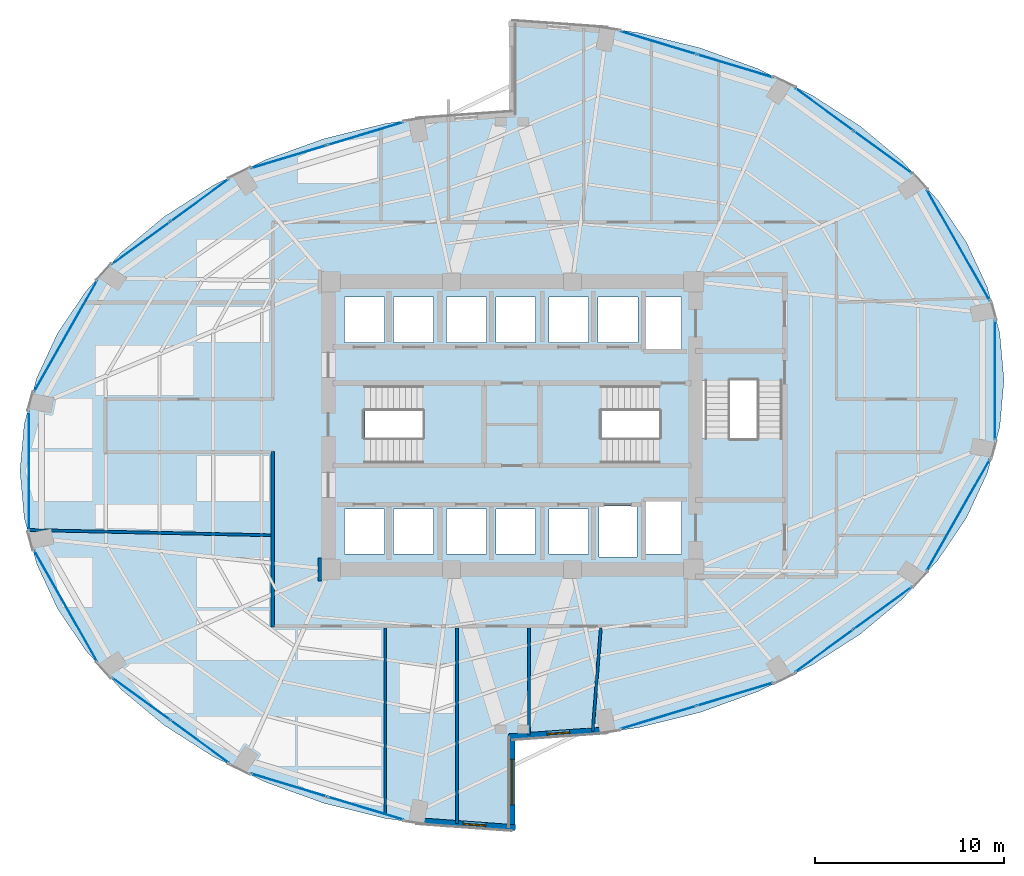
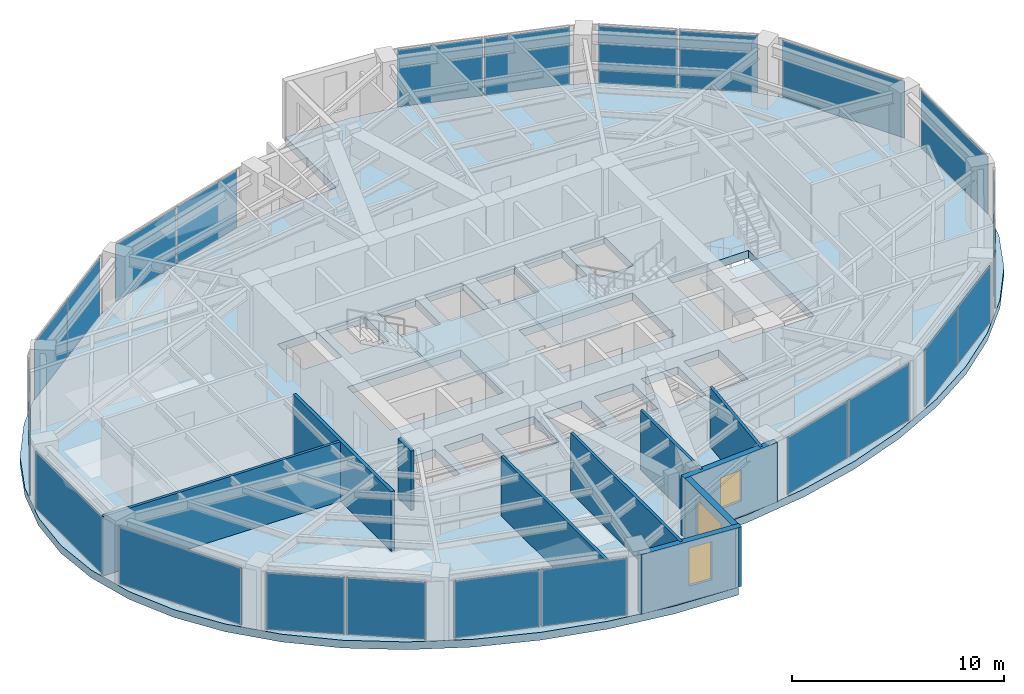
# One storey, part 18 of 23: 22 plates, 10 walls, 4 slabs, 3 windows, 3 openings, 17 elements without a shape of their own.
"""IFC4 building model written with IfcOpenShell, lengths in metres."""

from ifc_helpers import new_model, si_unit, direction, frame, frame_2d, origin, origin_2d, place, context, subcontext, project, spatial, polyline, rectangle, outline, extrude, material, layer, layer_set, type_object, element, fill, aggregate, save


model = new_model("IFC4")

# Units and contexts
model_context = context("Model", 3, precision=1e-05, world=origin(), true_north=direction((0.0, 1.0)))
body_context = subcontext(model_context, "Body", "Model", "MODEL_VIEW")
ifc_project = project(units=[si_unit("LENGTHUNIT", "METRE"), si_unit("AREAUNIT", "SQUARE_METRE"), si_unit("VOLUMEUNIT", "CUBIC_METRE"), si_unit("PLANEANGLEUNIT", "RADIAN"), si_unit("MASSUNIT", "GRAM", prefix="KILO")], contexts=[model_context])

# Site, building, storey
site_placement = place(None, origin())
site = spatial("IfcSite", under=ifc_project, at=site_placement, CompositionType="ELEMENT")
building_placement = place(site_placement, origin())
building = spatial("IfcBuilding", under=site, at=building_placement, Name="Lazwardi Medical Tower", CompositionType="ELEMENT")
storey_placement = place(building_placement, frame((0.0, 0.0, 81.743896484375)))
storey = spatial("IfcBuildingStorey", under=building, at=storey_placement, Name="L20", CompositionType="ELEMENT", Elevation=81.743896484375)

# Curtain wall, plates
ifc_material_1 = material(Name="Anodised bronze aluminium and solar control glazing", Category="aluminium")
ifc_layer_1 = layer(ifc_material_1, 0.195068359375)
ifc_layer_set_1 = layer_set([ifc_layer_1], Name="Anodised bronze aluminium and solar control glazing")
curtain_wall_type = type_object("IfcCurtainWallType", Name="CW-SYS-03", PredefinedType="NOTDEFINED", material=ifc_layer_set_1)
curtain_wall_1_placement = place(storey_placement, origin())
curtain_wall_1 = element("IfcCurtainWall", 1, at=curtain_wall_1_placement, inside=storey, type_object=curtain_wall_type, Name="L20 Unitised bronze curtain wall CW-03", PredefinedType="NOTDEFINED")
ifc_material_2 = material(Name="Low-e bronze solar control double glazing", Category="glass")
ifc_layer_2 = layer(ifc_material_2, 0.035888671875)
ifc_layer_set_2 = layer_set([ifc_layer_2], Name="Low-e bronze solar control double glazing")
plate_type = type_object("IfcPlateType", Name="PLT-GLZ-01", PredefinedType="CURTAIN_PANEL", material=ifc_layer_set_2)
plate_1_placement = place(storey_placement, frame((43.73974609375, 12.573486328125, 0.0751953125), z_axis=(0.0, 0.0, 1.0), x_axis=(0.957216170558, 0.28937381157, 0.0)))
plate_1 = element("IfcPlate", 2, at=plate_1_placement, type_object=plate_type, Name="CW-03 panel 1.1", PredefinedType="CURTAIN_PANEL", context=body_context, shape_type="SweptSolid", body=[
    extrude(rectangle(XDim=4.16552734375, YDim=0.035888671875, at=origin_2d()), origin(), (0.0, 0.0, 1.0), 3.278076171875),
])
plate_2_placement = place(storey_placement, frame((47.798828125, 13.800537109375, 0.0751953125), z_axis=(0.0, 0.0, 1.0), x_axis=(0.957216170558, 0.28937381157, 0.0)))
plate_2 = element("IfcPlate", 3, at=plate_2_placement, type_object=plate_type, Name="CW-03 panel 2.1", PredefinedType="CURTAIN_PANEL", context=body_context, shape_type="SweptSolid", body=[
    extrude(rectangle(XDim=4.16552734375, YDim=0.035888671875, at=origin_2d()), origin(), (0.0, 0.0, 1.0), 3.278076171875),
])
aggregate(curtain_wall_1, [plate_1, plate_2])

curtain_wall_2_placement = place(storey_placement, origin())
curtain_wall_2 = element("IfcCurtainWall", 4, at=curtain_wall_2_placement, inside=storey, type_object=curtain_wall_type, Name="L20 Unitised bronze curtain wall CW-03", PredefinedType="NOTDEFINED")
plate_3_placement = place(storey_placement, frame((52.4990234375, 16.093017578125, 0.0751953125), z_axis=(0.0, 0.0, 1.0), x_axis=(0.807745837639, 0.589530882802, 0.0)))
plate_3 = element("IfcPlate", 5, at=plate_3_placement, type_object=plate_type, Name="CW-03 panel 1.1", PredefinedType="CURTAIN_PANEL", context=body_context, shape_type="SweptSolid", body=[
    extrude(rectangle(XDim=3.767578125, YDim=0.035888671875, at=origin_2d()), origin(), (0.0, 0.0, 1.0), 3.278076171875),
])
plate_4_placement = place(storey_placement, frame((55.60302734375, 18.3583984375, 0.0751953125), z_axis=(0.0, 0.0, 1.0), x_axis=(0.807745837639, 0.589530882802, 0.0)))
plate_4 = element("IfcPlate", 6, at=plate_4_placement, type_object=plate_type, Name="CW-03 panel 2.1", PredefinedType="CURTAIN_PANEL", context=body_context, shape_type="SweptSolid", body=[
    extrude(rectangle(XDim=3.767578125, YDim=0.035888671875, at=origin_2d()), origin(), (0.0, 0.0, 1.0), 3.278076171875),
])
aggregate(curtain_wall_2, [plate_3, plate_4])

# Curtain wall, plate
curtain_wall_3_placement = place(storey_placement, origin())
curtain_wall_3 = element("IfcCurtainWall", 7, at=curtain_wall_3_placement, inside=storey, type_object=curtain_wall_type, Name="L20 Unitised bronze curtain wall CW-03", PredefinedType="NOTDEFINED")
plate_5_placement = place(storey_placement, frame((59.5849609375, 23.270263671875, 0.0751953125), z_axis=(0.0, 0.0, 1.0), x_axis=(0.493603140041, 0.869687265712, 0.0)))
plate_5 = element("IfcPlate", 8, at=plate_5_placement, type_object=plate_type, Name="CW-03 panel 1.1", PredefinedType="CURTAIN_PANEL", context=body_context, shape_type="SweptSolid", body=[
    extrude(rectangle(XDim=6.722900390625, YDim=0.035888671875, at=origin_2d()), origin(), (0.0, 0.0, 1.0), 3.278076171875),
])
aggregate(curtain_wall_3, [plate_5])

curtain_wall_4_placement = place(storey_placement, origin())
curtain_wall_4 = element("IfcCurtainWall", 9, at=curtain_wall_4_placement, inside=storey, type_object=curtain_wall_type, Name="L20 Unitised bronze curtain wall CW-03", PredefinedType="NOTDEFINED")
plate_6_placement = place(storey_placement, frame((61.528076171875, 30.39990234375, 0.0751953125), z_axis=(0.0, 0.0, 1.0), x_axis=(0.0, 1.0, 0.0)))
plate_6 = element("IfcPlate", 10, at=plate_6_placement, type_object=plate_type, Name="CW-03 panel 1.1", PredefinedType="CURTAIN_PANEL", context=body_context, shape_type="SweptSolid", body=[
    extrude(rectangle(XDim=6.31982421875, YDim=0.035888671875, at=origin_2d()), origin(), (0.0, 0.0, 1.0), 3.278076171875),
])
aggregate(curtain_wall_4, [plate_6])

curtain_wall_5_placement = place(storey_placement, origin())
curtain_wall_5 = element("IfcCurtainWall", 11, at=curtain_wall_5_placement, inside=storey, type_object=curtain_wall_type, Name="L20 Unitised bronze curtain wall CW-03", PredefinedType="NOTDEFINED")
plate_7_placement = place(storey_placement, frame((59.5849609375, 37.52978515625, 0.0751953125), z_axis=(0.0, 0.0, 1.0), x_axis=(-0.493603140041, 0.869687265712, 0.0)))
plate_7 = element("IfcPlate", 12, at=plate_7_placement, type_object=plate_type, Name="CW-03 panel 1.1", PredefinedType="CURTAIN_PANEL", context=body_context, shape_type="SweptSolid", body=[
    extrude(rectangle(XDim=6.722900390625, YDim=0.035888671875, at=origin_2d()), origin(), (0.0, 0.0, 1.0), 3.278076171875),
])
aggregate(curtain_wall_5, [plate_7])

# Curtain wall, plates
curtain_wall_6_placement = place(storey_placement, origin())
curtain_wall_6 = element("IfcCurtainWall", 13, at=curtain_wall_6_placement, inside=storey, type_object=curtain_wall_type, Name="L20 Unitised bronze curtain wall CW-03", PredefinedType="NOTDEFINED")
plate_8_placement = place(storey_placement, frame((55.60302734375, 42.441650390625, 0.0751953125), z_axis=(0.0, 0.0, 1.0), x_axis=(-0.807745837639, 0.589530882802, 0.0)))
plate_8 = element("IfcPlate", 14, at=plate_8_placement, type_object=plate_type, Name="CW-03 panel 1.1", PredefinedType="CURTAIN_PANEL", context=body_context, shape_type="SweptSolid", body=[
    extrude(rectangle(XDim=3.767578125, YDim=0.035888671875, at=origin_2d()), origin(), (0.0, 0.0, 1.0), 3.278076171875),
])
plate_9_placement = place(storey_placement, frame((52.4990234375, 44.70703125, 0.0751953125), z_axis=(0.0, 0.0, 1.0), x_axis=(-0.807745837639, 0.589530882802, 0.0)))
plate_9 = element("IfcPlate", 15, at=plate_9_placement, type_object=plate_type, Name="CW-03 panel 2.1", PredefinedType="CURTAIN_PANEL", context=body_context, shape_type="SweptSolid", body=[
    extrude(rectangle(XDim=3.767578125, YDim=0.035888671875, at=origin_2d()), origin(), (0.0, 0.0, 1.0), 3.278076171875),
])
aggregate(curtain_wall_6, [plate_8, plate_9])

curtain_wall_7_placement = place(storey_placement, origin())
curtain_wall_7 = element("IfcCurtainWall", 16, at=curtain_wall_7_placement, inside=storey, type_object=curtain_wall_type, Name="L20 Unitised bronze curtain wall CW-03", PredefinedType="NOTDEFINED")
plate_10_placement = place(storey_placement, frame((47.798828125, 46.99951171875, 0.0751953125), z_axis=(0.0, 0.0, 1.0), x_axis=(-0.957216170558, 0.28937381157, 0.0)))
plate_10 = element("IfcPlate", 17, at=plate_10_placement, type_object=plate_type, Name="CW-03 panel 1.1", PredefinedType="CURTAIN_PANEL", context=body_context, shape_type="SweptSolid", body=[
    extrude(rectangle(XDim=4.16552734375, YDim=0.035888671875, at=origin_2d()), origin(), (0.0, 0.0, 1.0), 3.278076171875),
])
plate_11_placement = place(storey_placement, frame((43.73974609375, 48.2265625, 0.0751953125), z_axis=(0.0, 0.0, 1.0), x_axis=(-0.957216170558, 0.28937381157, 0.0)))
plate_11 = element("IfcPlate", 18, at=plate_11_placement, type_object=plate_type, Name="CW-03 panel 2.1", PredefinedType="CURTAIN_PANEL", context=body_context, shape_type="SweptSolid", body=[
    extrude(rectangle(XDim=4.16552734375, YDim=0.035888671875, at=origin_2d()), origin(), (0.0, 0.0, 1.0), 3.278076171875),
])
aggregate(curtain_wall_7, [plate_10, plate_11])

curtain_wall_8_placement = place(storey_placement, origin())
curtain_wall_8 = element("IfcCurtainWall", 19, at=curtain_wall_8_placement, inside=storey, type_object=curtain_wall_type, Name="L20 Unitised bronze curtain wall CW-03", PredefinedType="NOTDEFINED")
plate_12_placement = place(storey_placement, frame((28.26025390625, 43.426513671875, 0.0751953125), z_axis=(0.0, 0.0, 1.0), x_axis=(-0.957216170558, -0.28937381157, 0.0)))
plate_12 = element("IfcPlate", 20, at=plate_12_placement, type_object=plate_type, Name="CW-03 panel 1.1", PredefinedType="CURTAIN_PANEL", context=body_context, shape_type="SweptSolid", body=[
    extrude(rectangle(XDim=4.16552734375, YDim=0.035888671875, at=origin_2d()), origin(), (0.0, 0.0, 1.0), 3.278076171875),
])
plate_13_placement = place(storey_placement, frame((24.201171875, 42.199462890625, 0.0751953125), z_axis=(0.0, 0.0, 1.0), x_axis=(-0.957216170558, -0.28937381157, 0.0)))
plate_13 = element("IfcPlate", 21, at=plate_13_placement, type_object=plate_type, Name="CW-03 panel 2.1", PredefinedType="CURTAIN_PANEL", context=body_context, shape_type="SweptSolid", body=[
    extrude(rectangle(XDim=4.16552734375, YDim=0.035888671875, at=origin_2d()), origin(), (0.0, 0.0, 1.0), 3.278076171875),
])
aggregate(curtain_wall_8, [plate_12, plate_13])

curtain_wall_9_placement = place(storey_placement, origin())
curtain_wall_9 = element("IfcCurtainWall", 22, at=curtain_wall_9_placement, inside=storey, type_object=curtain_wall_type, Name="L20 Unitised bronze curtain wall CW-03", PredefinedType="NOTDEFINED")
plate_14_placement = place(storey_placement, frame((19.5009765625, 39.906982421875, 0.0751953125), z_axis=(0.0, 0.0, 1.0), x_axis=(-0.807745837639, -0.589530882802, 0.0)))
plate_14 = element("IfcPlate", 23, at=plate_14_placement, type_object=plate_type, Name="CW-03 panel 1.1", PredefinedType="CURTAIN_PANEL", context=body_context, shape_type="SweptSolid", body=[
    extrude(rectangle(XDim=3.767578125, YDim=0.035888671875, at=origin_2d()), origin(), (0.0, 0.0, 1.0), 3.278076171875),
])
plate_15_placement = place(storey_placement, frame((16.39697265625, 37.6416015625, 0.0751953125), z_axis=(0.0, 0.0, 1.0), x_axis=(-0.807745837639, -0.589530882802, 0.0)))
plate_15 = element("IfcPlate", 24, at=plate_15_placement, type_object=plate_type, Name="CW-03 panel 2.1", PredefinedType="CURTAIN_PANEL", context=body_context, shape_type="SweptSolid", body=[
    extrude(rectangle(XDim=3.767578125, YDim=0.035888671875, at=origin_2d()), origin(), (0.0, 0.0, 1.0), 3.278076171875),
])
aggregate(curtain_wall_9, [plate_14, plate_15])

# Curtain wall, plate
curtain_wall_10_placement = place(storey_placement, origin())
curtain_wall_10 = element("IfcCurtainWall", 25, at=curtain_wall_10_placement, inside=storey, type_object=curtain_wall_type, Name="L20 Unitised bronze curtain wall CW-03", PredefinedType="NOTDEFINED")
plate_16_placement = place(storey_placement, frame((12.4150390625, 32.729736328125, 0.0751953125), z_axis=(0.0, 0.0, 1.0), x_axis=(-0.493603140041, -0.869687265712, 0.0)))
plate_16 = element("IfcPlate", 26, at=plate_16_placement, type_object=plate_type, Name="CW-03 panel 1.1", PredefinedType="CURTAIN_PANEL", context=body_context, shape_type="SweptSolid", body=[
    extrude(rectangle(XDim=6.722900390625, YDim=0.035888671875, at=origin_2d()), origin(), (0.0, 0.0, 1.0), 3.278076171875),
])
aggregate(curtain_wall_10, [plate_16])

curtain_wall_11_placement = place(storey_placement, origin())
curtain_wall_11 = element("IfcCurtainWall", 27, at=curtain_wall_11_placement, inside=storey, type_object=curtain_wall_type, Name="L20 Unitised bronze curtain wall CW-03", PredefinedType="NOTDEFINED")
plate_17_placement = place(storey_placement, frame((10.471923828125, 25.60009765625, 0.0751953125), z_axis=(0.0, 0.0, 1.0), x_axis=(0.0, -1.0, 0.0)))
plate_17 = element("IfcPlate", 28, at=plate_17_placement, type_object=plate_type, Name="CW-03 panel 1.1", PredefinedType="CURTAIN_PANEL", context=body_context, shape_type="SweptSolid", body=[
    extrude(rectangle(XDim=6.31982421875, YDim=0.035888671875, at=origin_2d()), origin(), (0.0, 0.0, 1.0), 3.278076171875),
])
aggregate(curtain_wall_11, [plate_17])

curtain_wall_12_placement = place(storey_placement, origin())
curtain_wall_12 = element("IfcCurtainWall", 29, at=curtain_wall_12_placement, inside=storey, type_object=curtain_wall_type, Name="L20 Unitised bronze curtain wall CW-03", PredefinedType="NOTDEFINED")
plate_18_placement = place(storey_placement, frame((12.4150390625, 18.47021484375, 0.0751953125), z_axis=(0.0, 0.0, 1.0), x_axis=(0.493603140041, -0.869687265712, 0.0)))
plate_18 = element("IfcPlate", 30, at=plate_18_placement, type_object=plate_type, Name="CW-03 panel 1.1", PredefinedType="CURTAIN_PANEL", context=body_context, shape_type="SweptSolid", body=[
    extrude(rectangle(XDim=6.722900390625, YDim=0.035888671875, at=origin_2d()), origin(), (0.0, 0.0, 1.0), 3.278076171875),
])
aggregate(curtain_wall_12, [plate_18])

# Curtain wall, plates
curtain_wall_13_placement = place(storey_placement, origin())
curtain_wall_13 = element("IfcCurtainWall", 31, at=curtain_wall_13_placement, inside=storey, type_object=curtain_wall_type, Name="L20 Unitised bronze curtain wall CW-03", PredefinedType="NOTDEFINED")
plate_19_placement = place(storey_placement, frame((16.39697265625, 13.558349609375, 0.0751953125), z_axis=(0.0, 0.0, 1.0), x_axis=(0.807745837639, -0.589530882802, 0.0)))
plate_19 = element("IfcPlate", 32, at=plate_19_placement, type_object=plate_type, Name="CW-03 panel 1.1", PredefinedType="CURTAIN_PANEL", context=body_context, shape_type="SweptSolid", body=[
    extrude(rectangle(XDim=3.767578125, YDim=0.035888671875, at=origin_2d()), origin(), (0.0, 0.0, 1.0), 3.278076171875),
])
plate_20_placement = place(storey_placement, frame((19.5009765625, 11.29296875, 0.0751953125), z_axis=(0.0, 0.0, 1.0), x_axis=(0.807745837639, -0.589530882802, 0.0)))
plate_20 = element("IfcPlate", 33, at=plate_20_placement, type_object=plate_type, Name="CW-03 panel 2.1", PredefinedType="CURTAIN_PANEL", context=body_context, shape_type="SweptSolid", body=[
    extrude(rectangle(XDim=3.767578125, YDim=0.035888671875, at=origin_2d()), origin(), (0.0, 0.0, 1.0), 3.278076171875),
])
aggregate(curtain_wall_13, [plate_19, plate_20])

curtain_wall_14_placement = place(storey_placement, origin())
curtain_wall_14 = element("IfcCurtainWall", 34, at=curtain_wall_14_placement, inside=storey, type_object=curtain_wall_type, Name="L20 Unitised bronze curtain wall CW-03", PredefinedType="NOTDEFINED")
plate_21_placement = place(storey_placement, frame((24.201171875, 9.00048828125, 0.0751953125), z_axis=(0.0, 0.0, 1.0), x_axis=(0.957216170558, -0.28937381157, 0.0)))
plate_21 = element("IfcPlate", 35, at=plate_21_placement, type_object=plate_type, Name="CW-03 panel 1.1", PredefinedType="CURTAIN_PANEL", context=body_context, shape_type="SweptSolid", body=[
    extrude(rectangle(XDim=4.16552734375, YDim=0.035888671875, at=origin_2d()), origin(), (0.0, 0.0, 1.0), 3.278076171875),
])
plate_22_placement = place(storey_placement, frame((28.26025390625, 7.7734375, 0.0751953125), z_axis=(0.0, 0.0, 1.0), x_axis=(0.957216170558, -0.28937381157, 0.0)))
plate_22 = element("IfcPlate", 36, at=plate_22_placement, type_object=plate_type, Name="CW-03 panel 2.1", PredefinedType="CURTAIN_PANEL", context=body_context, shape_type="SweptSolid", body=[
    extrude(rectangle(XDim=4.16552734375, YDim=0.035888671875, at=origin_2d()), origin(), (0.0, 0.0, 1.0), 3.278076171875),
])
aggregate(curtain_wall_14, [plate_21, plate_22])

# Stair, slab
ifc_material_3 = material(Name="Concrete C45/55", Category="concrete")
stair_type = type_object("IfcStairType", Name="STR-WRD", PredefinedType="HALF_TURN_STAIR", material=ifc_material_3)
stair_1_placement = place(storey_placement, origin())
stair_1 = element("IfcStair", 37, at=stair_1_placement, inside=storey, type_object=stair_type, Name="L20 Protected Exit Stair ST1", PredefinedType="HALF_TURN_STAIR")
ifc_layer_3 = layer(ifc_material_3, 0.199951171875)
ifc_layer_set_3 = layer_set([ifc_layer_3], Name="Concrete C45/55")
slab_type_1 = type_object("IfcSlabType", Name="SLB-LND-190", PredefinedType="LANDING", material=ifc_layer_set_3)
slab_1_placement = place(storey_placement, frame((0.0, 0.0, 1.6240234375)))
slab_1 = element("IfcSlab", 38, at=slab_1_placement, type_object=slab_type_1, Name="ST1 landing 1", PredefinedType="LANDING", context=body_context, shape_type="SweptSolid", body=[
    extrude(outline(polyline([(31.27490234375, 25.840087890625), (34.580078125, 25.840087890625), (34.580078125, 30.280029296875), (31.27490234375, 30.280029296875), (31.27490234375, 25.840087890625)])), origin(), (0.0, 0.0, 1.0), 0.2001953125),
])
aggregate(stair_1, [slab_1])

stair_2_placement = place(storey_placement, origin())
stair_2 = element("IfcStair", 39, at=stair_2_placement, inside=storey, type_object=stair_type, Name="L20 Protected Exit Stair ST2", PredefinedType="HALF_TURN_STAIR")
slab_2_placement = place(storey_placement, frame((0.0, 0.0, 1.6240234375)))
slab_2 = element("IfcSlab", 40, at=slab_2_placement, type_object=slab_type_1, Name="ST2 landing 1", PredefinedType="LANDING", context=body_context, shape_type="SweptSolid", body=[
    extrude(outline(polyline([(40.72509765625, 30.280029296875), (37.419921875, 30.280029296875), (37.419921875, 25.840087890625), (40.72509765625, 25.840087890625), (40.72509765625, 30.280029296875)])), origin(), (0.0, 0.0, 1.0), 0.2001953125),
])
aggregate(stair_2, [slab_2])

stair_3_placement = place(storey_placement, origin())
stair_3 = element("IfcStair", 41, at=stair_3_placement, inside=storey, type_object=stair_type, Name="L20 Protected Exit Stair ST3", PredefinedType="HALF_TURN_STAIR")
slab_3_placement = place(storey_placement, frame((0.0, 0.0, 1.6240234375)))
slab_3 = element("IfcSlab", 42, at=slab_3_placement, type_object=slab_type_1, Name="ST3 landing 1", PredefinedType="LANDING", context=body_context, shape_type="SweptSolid", body=[
    extrude(outline(polyline([(45.860107421875, 27.324951171875), (45.860107421875, 24.02001953125), (50.4599609375, 24.02001953125), (50.4599609375, 27.324951171875), (45.860107421875, 27.324951171875)])), origin(), (0.0, 0.0, 1.0), 0.2001953125),
])
aggregate(stair_3, [slab_3])

# Slab
ifc_material_4 = material(Name="Concrete C60/75", Category="concrete")
ifc_layer_4 = layer(ifc_material_4, 0.449951171875)
ifc_layer_set_4 = layer_set([ifc_layer_4], Name="Concrete C60/75")
slab_type_2 = type_object("IfcSlabType", Name="SLB-TRN-450", PredefinedType="FLOOR", material=ifc_layer_set_4)
slab_4_placement = place(storey_placement, frame((0.0, 0.0, -0.449951171875)))
element("IfcSlab", 43, at=slab_4_placement, inside=storey, type_object=slab_type_2, Name="Structural floor slab SF-02 L20", PredefinedType="FLOOR", context=body_context, shape_type="SweptSolid", body=[
    extrude(outline(polyline([(11.97900390625, 32.87109375), (10.885986328125, 30.517578125), (10.222412109375, 28.080078125), (10.0, 25.60009765625), (10.222412109375, 23.1201171875), (10.885986328125, 20.682373046875), (11.97900390625, 18.3291015625), (13.4833984375, 16.10009765625), (15.372802734375, 14.033447265625), (17.615234375, 12.1650390625), (20.172119140625, 10.5263671875), (23.0, 9.1455078125), (26.05029296875, 8.04638671875), (29.270751953125, 7.247314453125), (32.606201171875, 6.762451171875), (36.0, 6.60009765625), (36.0, 11.39990234375), (39.393798828125, 11.5625), (42.729248046875, 12.04736328125), (45.94970703125, 12.84619140625), (49.0, 13.945556640625), (51.827880859375, 15.326416015625), (54.384765625, 16.965087890625), (56.627197265625, 18.83349609375), (58.5166015625, 20.89990234375), (60.02099609375, 23.12890625), (61.114013671875, 25.482421875), (61.777587890625, 27.919921875), (62.0, 30.39990234375), (61.777587890625, 32.8798828125), (61.114013671875, 35.317626953125), (60.02099609375, 37.6708984375), (58.5166015625, 39.89990234375), (56.627197265625, 41.966552734375), (54.384765625, 43.8349609375), (51.827880859375, 45.4736328125), (49.0, 46.8544921875), (45.94970703125, 47.95361328125), (42.729248046875, 48.752685546875), (39.393798828125, 49.237548828125), (36.0, 49.39990234375), (36.0, 44.60009765625), (32.606201171875, 44.4375), (29.270751953125, 43.95263671875), (26.05029296875, 43.15380859375), (23.0, 42.054443359375), (20.172119140625, 40.673583984375), (17.615234375, 39.034912109375), (15.372802734375, 37.16650390625), (13.4833984375, 35.10009765625), (11.97900390625, 32.87109375)]), holes=[polyline([(28.22509765625, 26.02001953125), (28.22509765625, 30.10009765625), (34.39990234375, 30.10009765625), (34.39990234375, 26.02001953125), (28.22509765625, 26.02001953125)]), polyline([(37.60009765625, 30.10009765625), (43.77490234375, 30.10009765625), (43.77490234375, 26.02001953125), (37.60009765625, 26.02001953125), (37.60009765625, 30.10009765625)]), polyline([(50.280029296875, 30.375), (50.280029296875, 24.179931640625), (45.840087890625, 24.179931640625), (45.840087890625, 30.375), (50.280029296875, 30.375)]), polyline([(29.25, 32.39990234375), (27.14990234375, 32.39990234375), (27.14990234375, 34.800048828125), (29.25, 34.800048828125), (29.25, 32.39990234375)]), polyline([(29.75, 32.39990234375), (29.75, 34.800048828125), (31.85009765625, 34.800048828125), (31.85009765625, 32.39990234375), (29.75, 32.39990234375)]), polyline([(27.14990234375, 23.60009765625), (29.25, 23.60009765625), (29.25, 21.199951171875), (27.14990234375, 21.199951171875), (27.14990234375, 23.60009765625)]), polyline([(31.85009765625, 23.60009765625), (31.85009765625, 21.199951171875), (29.75, 21.199951171875), (29.75, 23.60009765625), (31.85009765625, 23.60009765625)]), polyline([(34.64990234375, 32.39990234375), (32.550048828125, 32.39990234375), (32.550048828125, 34.800048828125), (34.64990234375, 34.800048828125), (34.64990234375, 32.39990234375)]), polyline([(35.14990234375, 32.39990234375), (35.14990234375, 34.800048828125), (37.25, 34.800048828125), (37.25, 32.39990234375), (35.14990234375, 32.39990234375)]), polyline([(32.550048828125, 23.60009765625), (34.64990234375, 23.60009765625), (34.64990234375, 21.199951171875), (32.550048828125, 21.199951171875), (32.550048828125, 23.60009765625)]), polyline([(37.25, 23.60009765625), (37.25, 21.199951171875), (35.14990234375, 21.199951171875), (35.14990234375, 23.60009765625), (37.25, 23.60009765625)]), polyline([(40.050048828125, 32.39990234375), (37.949951171875, 32.39990234375), (37.949951171875, 34.800048828125), (40.050048828125, 34.800048828125), (40.050048828125, 32.39990234375)]), polyline([(40.550048828125, 32.39990234375), (40.550048828125, 34.800048828125), (42.64990234375, 34.800048828125), (42.64990234375, 32.39990234375), (40.550048828125, 32.39990234375)]), polyline([(37.949951171875, 23.60009765625), (40.050048828125, 23.60009765625), (40.050048828125, 21.199951171875), (37.949951171875, 21.199951171875), (37.949951171875, 23.60009765625)]), polyline([(44.949951171875, 34.800048828125), (44.949951171875, 32.0), (43.050048828125, 32.0), (43.050048828125, 34.800048828125), (44.949951171875, 34.800048828125)]), polyline([(44.949951171875, 21.199951171875), (43.050048828125, 21.199951171875), (43.050048828125, 24.0), (44.949951171875, 24.0), (44.949951171875, 21.199951171875)]), polyline([(40.60009765625, 21.050048828125), (40.60009765625, 23.75), (42.60009765625, 23.75), (42.60009765625, 21.050048828125), (40.60009765625, 21.050048828125)])]), origin(), (0.0, 0.0, 1.0), 0.449951171875),
])

# Walls
ifc_material_5 = material(Name="Fire-rated gypsum board on steel stud", Category="steel")
ifc_layer_5 = layer(ifc_material_5, 0.179931640625)
ifc_layer_set_5 = layer_set([ifc_layer_5], Name="Fire-rated gypsum board on steel stud")
wall_type_1 = type_object("IfcWallType", Name="WL-COR-180", PredefinedType="PARTITIONING", material=ifc_layer_set_5)
wall_1_placement = place(storey_placement, frame((25.830078125, 21.010009765625, 0.0), z_axis=(0.0, 0.0, 1.0), x_axis=(0.0, -1.0, 0.0)))
element("IfcWall", 44, at=wall_1_placement, inside=storey, type_object=wall_type_1, Name="L20 Corridor partition 12", PredefinedType="PARTITIONING", context=body_context, shape_type="SweptSolid", body=[
    extrude(rectangle(XDim=1.219970703125, YDim=0.179931640625, at=frame_2d((0.60986328125, 0.0))), origin(), (0.0, 0.0, 1.0), 3.42822265625),
])
wall_2_placement = place(storey_placement, frame((23.35009765625, 17.360107421875, 0.0), z_axis=(0.0, 0.0, 1.0), x_axis=(0.0, 1.0, 0.0)))
element("IfcWall", 45, at=wall_2_placement, inside=storey, type_object=wall_type_1, Name="L20 Corridor partition 15", PredefinedType="PARTITIONING", context=body_context, shape_type="SweptSolid", body=[
    extrude(rectangle(XDim=9.27978515625, YDim=0.179931640625, at=frame_2d((4.639892578125, 0.0))), origin(), (0.0, 0.0, 1.0), 3.42822265625),
])

# Wall, opening, window
ifc_material_6 = material(Name="Precast concrete C45/55", Category="concrete")
ifc_layer_6 = layer(ifc_material_6, 0.320068359375)
ifc_layer_set_6 = layer_set([ifc_layer_6], Name="Precast concrete C45/55")
wall_type_2 = type_object("IfcWallType", Name="WL-IWAN-320", PredefinedType="SOLIDWALL", material=ifc_layer_set_6)
wall_3_placement = place(storey_placement, frame((35.820556640625, 11.547119140625, 0.0), z_axis=(0.0, 0.0, 1.0), x_axis=(0.997432364291, 0.071614793619, 0.0)))
wall_3 = element("IfcWall", 46, at=wall_3_placement, inside=storey, type_object=wall_type_2, Name="L20 Iwan Portal Return Wall SE_ret", PredefinedType="SOLIDWALL", context=body_context, shape_type="SweptSolid", body=[
    extrude(rectangle(XDim=5.2841796875, YDim=0.320068359375, at=frame_2d((2.64208984375, 0.0))), origin(), (0.0, 0.0, 1.0), 3.42822265625),
])
opening_1_placement = place(wall_3_placement, frame((2.0419921875, 0.0, 0.85009765625)))
opening_1 = element("IfcOpeningElement", 47, at=opening_1_placement, cuts=wall_3, Name="Opening WN-04", PredefinedType="OPENING", context=body_context, shape_type="SweptSolid", body=[
    extrude(rectangle(XDim=1.199951171875, YDim=1.800048828125, at=frame_2d((0.60009765625, 0.89990234375))), frame((0.0, 0.169921875, 0.0), z_axis=(0.0, -1.0, 0.0), x_axis=(1.0, 0.0, 0.0)), (0.0, 0.0, 1.0), 0.340087890625),
])
window_type_1 = type_object("IfcWindowType", Name="WIN-DRUM-1200", PartitioningType="SINGLE_PANEL", PredefinedType="WINDOW", material=ifc_material_2)
window_1_placement = place(opening_1_placement, origin())
window_1 = element("IfcWindow", 48, at=window_1_placement, inside=storey, type_object=window_type_1, Name="L20 Iwan Slot Window SE_ret", OverallHeight=1.800048828125, OverallWidth=1.199951171875, PartitioningType="SINGLE_PANEL", PredefinedType="WINDOW", context=body_context, shape_type="SweptSolid", body=[
    extrude(rectangle(XDim=1.199951171875, YDim=1.800048828125, at=frame_2d((0.60009765625, 0.89990234375))), frame((0.0, 0.030029296875, 0.0), z_axis=(0.0, -1.0, 0.0), x_axis=(1.0, 0.0, 0.0)), (0.0, 0.0, 1.0), 0.06005859375),
])
fill(opening_1, window_1)

wall_4_placement = place(storey_placement, frame((30.908935546875, 7.12548828125, 0.0), z_axis=(0.0, 0.0, 1.0), x_axis=(0.997431890304, -0.071621394884, 0.0)))
wall_4 = element("IfcWall", 49, at=wall_4_placement, inside=storey, type_object=wall_type_2, Name="L20 Iwan Portal Return Wall SW_ret", PredefinedType="SOLIDWALL", context=body_context, shape_type="SweptSolid", body=[
    extrude(rectangle(XDim=5.28369140625, YDim=0.320068359375, at=frame_2d((2.641845703125, 0.0))), origin(), (0.0, 0.0, 1.0), 3.42822265625),
])
opening_2_placement = place(wall_4_placement, frame((2.51123046875, 0.0, 0.85009765625)))
opening_2 = element("IfcOpeningElement", 50, at=opening_2_placement, cuts=wall_4, Name="Opening WN-01", PredefinedType="OPENING", context=body_context, shape_type="SweptSolid", body=[
    extrude(rectangle(XDim=1.199951171875, YDim=2.199951171875, at=frame_2d((0.60009765625, 1.10009765625))), frame((0.0, 0.169921875, 0.0), z_axis=(0.0, -1.0, 0.0), x_axis=(1.0, 0.0, 0.0)), (0.0, 0.0, 1.0), 0.340087890625),
])
window_type_2 = type_object("IfcWindowType", Name="WIN-IW-1200", PartitioningType="SINGLE_PANEL", PredefinedType="WINDOW", material=ifc_material_2)
window_2_placement = place(opening_2_placement, origin())
window_2 = element("IfcWindow", 51, at=window_2_placement, inside=storey, type_object=window_type_2, Name="L20 Iwan Slot Window SW_ret", OverallHeight=2.199951171875, OverallWidth=1.199951171875, PartitioningType="SINGLE_PANEL", PredefinedType="WINDOW", context=body_context, shape_type="SweptSolid", body=[
    extrude(rectangle(XDim=1.199951171875, YDim=2.199951171875, at=frame_2d((0.60009765625, 1.10009765625))), frame((0.0, 0.030029296875, 0.0), z_axis=(0.0, -1.0, 0.0), x_axis=(1.0, 0.0, 0.0)), (0.0, 0.0, 1.0), 0.06005859375),
])
fill(opening_2, window_2)

wall_5_placement = place(storey_placement, frame((36.0, 6.60009765625, 0.0), z_axis=(0.0, 0.0, 1.0), x_axis=(0.0, 1.0, 0.0)))
wall_5 = element("IfcWall", 52, at=wall_5_placement, inside=storey, type_object=wall_type_2, Name="L20 Turquoise Tilework Iwan Seam Wall S_seam", PredefinedType="SOLIDWALL", context=body_context, shape_type="SweptSolid", body=[
    extrude(rectangle(XDim=5.119873046875, YDim=0.320068359375, at=frame_2d((2.56005859375, 0.0))), origin(), (0.0, 0.0, 1.0), 3.42822265625),
])
opening_3_placement = place(wall_5_placement, frame((1.360107421875, 0.0, 0.840087890625)))
opening_3 = element("IfcOpeningElement", 53, at=opening_3_placement, cuts=wall_5, Name="Opening WN-02", PredefinedType="OPENING", context=body_context, shape_type="SweptSolid", body=[
    extrude(rectangle(XDim=2.39990234375, YDim=2.0400390625, at=frame_2d((1.199951171875, 1.02001953125))), frame((0.0, 0.169921875, 0.0), z_axis=(0.0, -1.0, 0.0), x_axis=(1.0, 0.0, 0.0)), (0.0, 0.0, 1.0), 0.340087890625),
])
window_type_3 = type_object("IfcWindowType", Name="WIN-IW-2400", PartitioningType="SINGLE_PANEL", PredefinedType="WINDOW", material=ifc_material_2)
window_3_placement = place(opening_3_placement, origin())
window_3 = element("IfcWindow", 54, at=window_3_placement, inside=storey, type_object=window_type_3, Name="L20 Iwan Seam Window S_seam", OverallHeight=2.0400390625, OverallWidth=2.39990234375, PartitioningType="SINGLE_PANEL", PredefinedType="WINDOW", context=body_context, shape_type="SweptSolid", body=[
    extrude(rectangle(XDim=2.39990234375, YDim=2.0400390625, at=frame_2d((1.199951171875, 1.02001953125))), frame((0.0, 0.030029296875, 0.0), z_axis=(0.0, -1.0, 0.0), x_axis=(1.0, 0.0, 0.0)), (0.0, 0.0, 1.0), 0.06005859375),
])
fill(opening_3, window_3)

# Walls
ifc_material_7 = material(Name="Acoustic gypsum board partition")
ifc_layer_7 = layer(ifc_material_7, 0.14990234375)
ifc_layer_set_7 = layer_set([ifc_layer_7], Name="Acoustic gypsum board partition")
wall_type_3 = type_object("IfcWallType", Name="WL-WRD-150", PredefinedType="PARTITIONING", material=ifc_layer_set_7)
wall_6_placement = place(storey_placement, frame((10.46533203125, 22.47900390625, 0.0), z_axis=(0.0, 0.0, 1.0), x_axis=(0.999765147572, -0.021671402821, 0.0)))
element("IfcWall", 55, at=wall_6_placement, inside=storey, type_object=wall_type_3, Name="L20 Room partition 1", PredefinedType="PARTITIONING", context=body_context, shape_type="SweptSolid", body=[
    extrude(rectangle(XDim=12.797607421875, YDim=0.14990234375, at=frame_2d((6.39892578125, 0.0))), origin(), (0.0, 0.0, 1.0), 3.42822265625),
])
wall_7_placement = place(storey_placement, frame((29.300048828125, 7.47314453125, 0.0), z_axis=(0.0, 0.0, 1.0), x_axis=(0.0, 1.0, 0.0)))
element("IfcWall", 56, at=wall_7_placement, inside=storey, type_object=wall_type_3, Name="L20 Room partition 10", PredefinedType="PARTITIONING", context=body_context, shape_type="SweptSolid", body=[
    extrude(rectangle(XDim=9.8369140625, YDim=0.14990234375, at=frame_2d((4.91845703125, 0.0))), origin(), (0.0, 0.0, 1.0), 3.42822265625),
])
wall_8_placement = place(storey_placement, frame((33.10009765625, 6.970703125, 0.0), z_axis=(0.0, 0.0, 1.0), x_axis=(0.0, 1.0, 0.0)))
element("IfcWall", 57, at=wall_8_placement, inside=storey, type_object=wall_type_3, Name="L20 Room partition 11", PredefinedType="PARTITIONING", context=body_context, shape_type="SweptSolid", body=[
    extrude(rectangle(XDim=10.33935546875, YDim=0.14990234375, at=frame_2d((5.169677734375, 0.0))), origin(), (0.0, 0.0, 1.0), 3.42822265625),
])
wall_9_placement = place(storey_placement, frame((36.89990234375, 11.6494140625, 0.0), z_axis=(0.0, 0.0, 1.0), x_axis=(0.0, 1.0, 0.0)))
element("IfcWall", 58, at=wall_9_placement, inside=storey, type_object=wall_type_3, Name="L20 Room partition 12", PredefinedType="PARTITIONING", context=body_context, shape_type="SweptSolid", body=[
    extrude(rectangle(XDim=5.66064453125, YDim=0.14990234375, at=frame_2d((2.830322265625, 0.0))), origin(), (0.0, 0.0, 1.0), 3.42822265625),
])
wall_10_placement = place(storey_placement, frame((40.264892578125, 11.83837890625, 0.0), z_axis=(0.0, 0.0, 1.0), x_axis=(0.078196446306, 0.996937969878, 0.0)))
element("IfcWall", 59, at=wall_10_placement, inside=storey, type_object=wall_type_3, Name="L20 Room partition 13", PredefinedType="PARTITIONING", context=body_context, shape_type="SweptSolid", body=[
    extrude(rectangle(XDim=5.48876953125, YDim=0.14990234375, at=frame_2d((2.744384765625, 0.0))), origin(), (0.0, 0.0, 1.0), 3.42822265625),
])

save(model, "model.ifc")
